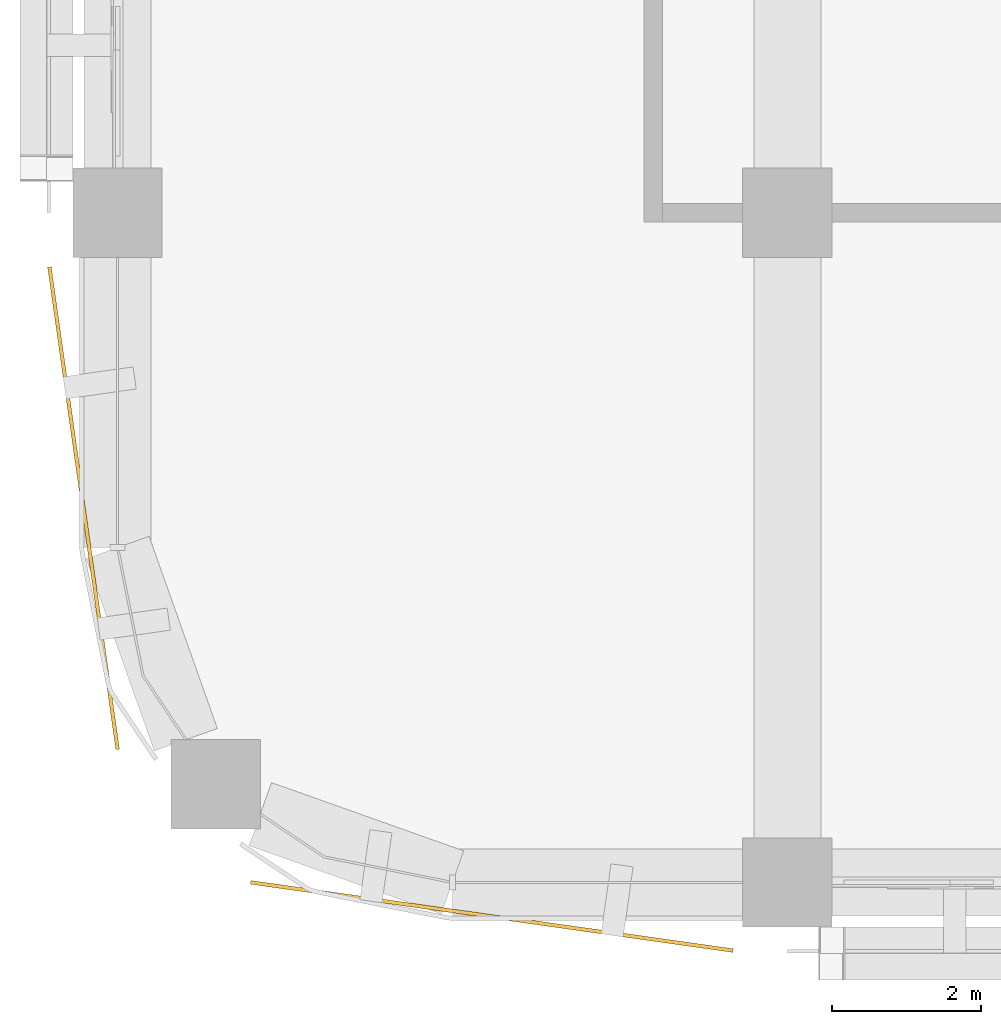
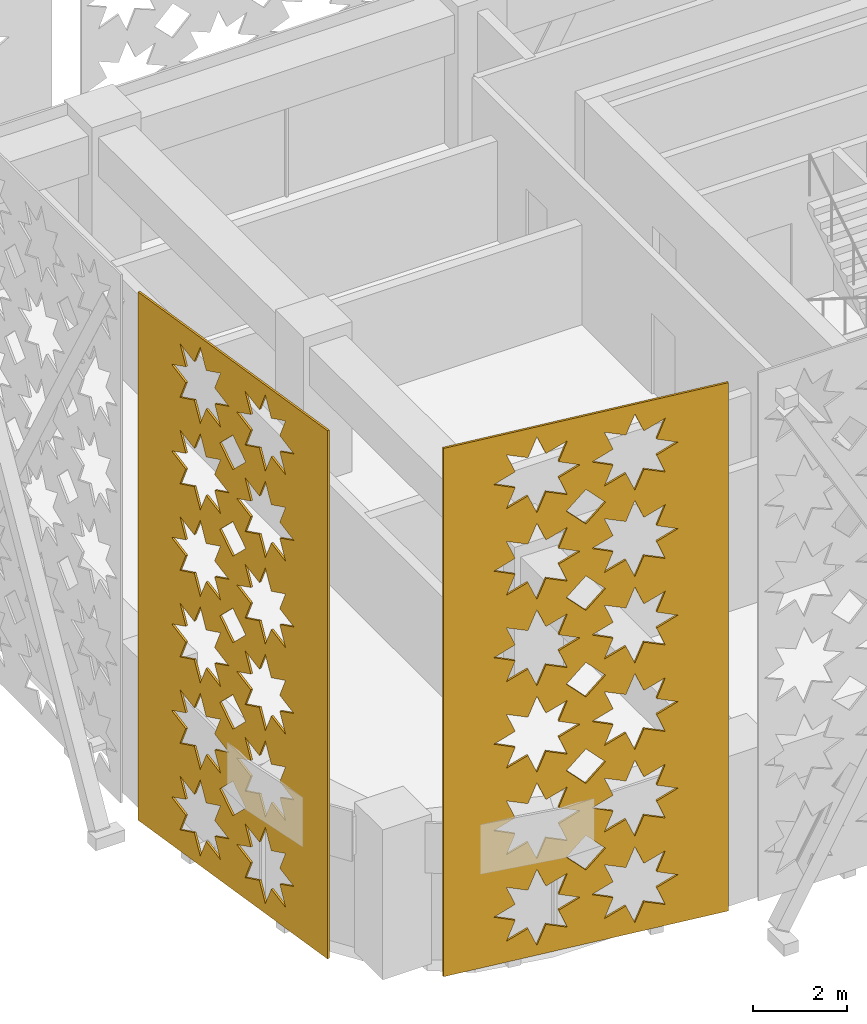
# One storey, part 10 of 17: 2 coverings.
"""IFC4 building model written with IfcOpenShell, lengths in metres."""

from ifc_helpers import new_model, si_unit, direction, frame, origin, place, context, subcontext, project, spatial, polyline, outline, extrude, material, layer, layer_set, type_object, element, save


model = new_model("IFC4")

# Units and contexts
model_context = context("Model", 3, precision=1e-05, world=origin(), true_north=direction((0.0, 1.0)))
body_context = subcontext(model_context, "Body", "Model", "MODEL_VIEW")
ifc_project = project(units=[si_unit("LENGTHUNIT", "METRE"), si_unit("AREAUNIT", "SQUARE_METRE"), si_unit("VOLUMEUNIT", "CUBIC_METRE"), si_unit("PLANEANGLEUNIT", "RADIAN"), si_unit("MASSUNIT", "GRAM", prefix="KILO")], contexts=[model_context])

# Site, building, storey
site_placement = place(None, origin())
site = spatial("IfcSite", under=ifc_project, at=site_placement, CompositionType="ELEMENT")
building_placement = place(site_placement, origin())
building = spatial("IfcBuilding", under=site, at=building_placement, Name="Tessera Arch", CompositionType="ELEMENT")
storey_placement = place(building_placement, frame((0.0, 0.0, 281.300048828125)))
storey = spatial("IfcBuildingStorey", under=building, at=storey_placement, Name="L68", CompositionType="ELEMENT", Elevation=281.300048828125)

# Coverings
ifc_material = material(Name="Anodised aluminium pale metal", Category="aluminium")
ifc_layer = layer(ifc_material, 0.050048828125)
ifc_layer_set = layer_set([ifc_layer], Name="Pierced screen panel corner bay")
covering_type = type_object("IfcCoveringType", Name="Pierced screen panel corner bay", PredefinedType="CLADDING", material=ifc_layer_set)
covering_1_placement = place(storey_placement, frame((17.10888671875, 35.27392578125, 13.89990234375), z_axis=(0.990141011378, 0.140074186016, 0.0), x_axis=(0.140074186016, -0.990141011378, 0.0)))
element("IfcCovering", 1, at=covering_1_placement, inside=storey, type_object=covering_type, Name="SCREEN pierced panel W18.27/2 L68-L70", PredefinedType="CLADDING", context=body_context, shape_type="SweptSolid", body=[
    extrude(outline(polyline([(0.0, 0.0), (6.546475218445481, 0.0), (6.546475218445481, 13.739990234375), (0.0, 13.739990234375), (0.0, 0.0)]), holes=[polyline([(3.1378926073747033, 12.494873046875), (2.646957140062835, 12.287841796875), (2.8479028079497066, 11.794921875), (2.354999273675671, 11.995849609375), (2.147907671256942, 11.5048828125), (1.941990539265672, 11.995849609375), (1.4481200704102128, 11.794921875), (1.6490657382970841, 12.287841796875), (1.158130270985216, 12.494873046875), (1.6490657382970841, 12.701904296875), (1.4481200704102128, 13.195068359375), (1.941990539265672, 12.993896484375), (2.147907671256942, 13.48486328125), (2.354999273675671, 12.993896484375), (2.8479028079497066, 13.195068359375), (2.646957140062835, 12.701904296875), (3.1378926073747033, 12.494873046875)]), polyline([(3.1378926073747033, 10.244873046875), (2.646957140062835, 10.037841796875), (2.8479028079497066, 9.544921875), (2.354999273675671, 9.745849609375), (2.147907671256942, 9.2548828125), (1.941990539265672, 9.745849609375), (1.4481200704102128, 9.544921875), (1.6490657382970841, 10.037841796875), (1.158130270985216, 10.244873046875), (1.6490657382970841, 10.451904296875), (1.4481200704102128, 10.945068359375), (1.941990539265672, 10.743896484375), (2.147907671256942, 11.23486328125), (2.354999273675671, 10.743896484375), (2.8479028079497066, 10.945068359375), (2.646957140062835, 10.451904296875), (3.1378926073747033, 10.244873046875)]), polyline([(3.1378926073747033, 7.994873046875), (2.646957140062835, 7.787841796875), (2.8479028079497066, 7.294921875), (2.354999273675671, 7.495849609375), (2.147907671256942, 7.0048828125), (1.941990539265672, 7.495849609375), (1.4481200704102128, 7.294921875), (1.6490657382970841, 7.787841796875), (1.158130270985216, 7.994873046875), (1.6490657382970841, 8.201904296875), (1.4481200704102128, 8.695068359375), (1.941990539265672, 8.493896484375), (2.147907671256942, 8.98486328125), (2.354999273675671, 8.493896484375), (2.8479028079497066, 8.695068359375), (2.646957140062835, 8.201904296875), (3.1378926073747033, 7.994873046875)]), polyline([(3.1378926073747033, 5.744873046875), (2.646957140062835, 5.537841796875), (2.8479028079497066, 5.044921875), (2.354999273675671, 5.245849609375), (2.147907671256942, 4.7548828125), (1.941990539265672, 5.245849609375), (1.4481200704102128, 5.044921875), (1.6490657382970841, 5.537841796875), (1.158130270985216, 5.744873046875), (1.6490657382970841, 5.951904296875), (1.4481200704102128, 6.445068359375), (1.941990539265672, 6.243896484375), (2.147907671256942, 6.73486328125), (2.354999273675671, 6.243896484375), (2.8479028079497066, 6.445068359375), (2.646957140062835, 5.951904296875), (3.1378926073747033, 5.744873046875)]), polyline([(3.1378926073747033, 3.494873046875), (2.646957140062835, 3.287841796875), (2.8479028079497066, 2.794921875), (2.354999273675671, 2.995849609375), (2.147907671256942, 2.5048828125), (1.941990539265672, 2.995849609375), (1.4481200704102128, 2.794921875), (1.6490657382970841, 3.287841796875), (1.158130270985216, 3.494873046875), (1.6490657382970841, 3.701904296875), (1.4481200704102128, 4.195068359375), (1.941990539265672, 3.993896484375), (2.147907671256942, 4.48486328125), (2.354999273675671, 3.993896484375), (2.8479028079497066, 4.195068359375), (2.646957140062835, 3.701904296875), (3.1378926073747033, 3.494873046875)]), polyline([(3.1378926073747033, 1.244873046875), (2.646957140062835, 1.037841796875), (2.8479028079497066, 0.544921875), (2.354999273675671, 0.745849609375), (2.147907671256942, 0.2548828125), (1.941990539265672, 0.745849609375), (1.4481200704102128, 0.544921875), (1.6490657382970841, 1.037841796875), (1.158130270985216, 1.244873046875), (1.6490657382970841, 1.451904296875), (1.4481200704102128, 1.945068359375), (1.941990539265672, 1.743896484375), (2.147907671256942, 2.23486328125), (2.354999273675671, 1.743896484375), (2.8479028079497066, 1.945068359375), (2.646957140062835, 1.451904296875), (3.1378926073747033, 1.244873046875)]), polyline([(5.387861480169554, 12.494873046875), (4.896926012857686, 12.287841796875), (5.097871680744557, 11.794921875), (4.604968146470521, 11.995849609375), (4.398118277697149, 11.5048828125), (4.191959412060523, 11.995849609375), (3.698088943205064, 11.794921875), (3.899034611091935, 12.287841796875), (3.408099143780067, 12.494873046875), (3.899034611091935, 12.701904296875), (3.698088943205064, 13.195068359375), (4.191959412060523, 12.993896484375), (4.398118277697149, 13.48486328125), (4.604968146470521, 12.993896484375), (5.097871680744557, 13.195068359375), (4.896926012857686, 12.701904296875), (5.387861480169554, 12.494873046875)]), polyline([(5.387861480169554, 10.244873046875), (4.896926012857686, 10.037841796875), (5.097871680744557, 9.544921875), (4.604968146470521, 9.745849609375), (4.398118277697149, 9.2548828125), (4.191959412060523, 9.745849609375), (3.698088943205064, 9.544921875), (3.899034611091935, 10.037841796875), (3.408099143780067, 10.244873046875), (3.899034611091935, 10.451904296875), (3.698088943205064, 10.945068359375), (4.191959412060523, 10.743896484375), (4.398118277697149, 11.23486328125), (4.604968146470521, 10.743896484375), (5.097871680744557, 10.945068359375), (4.896926012857686, 10.451904296875), (5.387861480169554, 10.244873046875)]), polyline([(5.387861480169554, 7.994873046875), (4.896926012857686, 7.787841796875), (5.097871680744557, 7.294921875), (4.604968146470521, 7.495849609375), (4.398118277697149, 7.0048828125), (4.191959412060523, 7.495849609375), (3.698088943205064, 7.294921875), (3.899034611091935, 7.787841796875), (3.408099143780067, 7.994873046875), (3.899034611091935, 8.201904296875), (3.698088943205064, 8.695068359375), (4.191959412060523, 8.493896484375), (4.398118277697149, 8.98486328125), (4.604968146470521, 8.493896484375), (5.097871680744557, 8.695068359375), (4.896926012857686, 8.201904296875), (5.387861480169554, 7.994873046875)]), polyline([(5.387861480169554, 5.744873046875), (4.896926012857686, 5.537841796875), (5.097871680744557, 5.044921875), (4.604968146470521, 5.245849609375), (4.398118277697149, 4.7548828125), (4.191959412060523, 5.245849609375), (3.698088943205064, 5.044921875), (3.899034611091935, 5.537841796875), (3.408099143780067, 5.744873046875), (3.899034611091935, 5.951904296875), (3.698088943205064, 6.445068359375), (4.191959412060523, 6.243896484375), (4.398118277697149, 6.73486328125), (4.604968146470521, 6.243896484375), (5.097871680744557, 6.445068359375), (4.896926012857686, 5.951904296875), (5.387861480169554, 5.744873046875)]), polyline([(5.387861480169554, 3.494873046875), (4.896926012857686, 3.287841796875), (5.097871680744557, 2.794921875), (4.604968146470521, 2.995849609375), (4.398118277697149, 2.5048828125), (4.191959412060523, 2.995849609375), (3.698088943205064, 2.794921875), (3.899034611091935, 3.287841796875), (3.408099143780067, 3.494873046875), (3.899034611091935, 3.701904296875), (3.698088943205064, 4.195068359375), (4.191959412060523, 3.993896484375), (4.398118277697149, 4.48486328125), (4.604968146470521, 3.993896484375), (5.097871680744557, 4.195068359375), (4.896926012857686, 3.701904296875), (5.387861480169554, 3.494873046875)]), polyline([(5.387861480169554, 1.244873046875), (4.896926012857686, 1.037841796875), (5.097871680744557, 0.544921875), (4.604968146470521, 0.745849609375), (4.398118277697149, 0.2548828125), (4.191959412060523, 0.745849609375), (3.698088943205064, 0.544921875), (3.899034611091935, 1.037841796875), (3.408099143780067, 1.244873046875), (3.899034611091935, 1.451904296875), (3.698088943205064, 1.945068359375), (4.191959412060523, 1.743896484375), (4.398118277697149, 2.23486328125), (4.604968146470521, 1.743896484375), (5.097871680744557, 1.945068359375), (4.896926012857686, 1.451904296875), (5.387861480169554, 1.244873046875)]), polyline([(3.7229828105764913, 11.369873046875), (3.272995875577385, 10.919921875), (2.823008940578279, 11.369873046875), (3.272995875577385, 11.820068359375), (3.7229828105764913, 11.369873046875)]), polyline([(3.7229828105764913, 9.119873046875), (3.272995875577385, 8.669921875), (2.823008940578279, 9.119873046875), (3.272995875577385, 9.570068359375), (3.7229828105764913, 9.119873046875)]), polyline([(3.7229828105764913, 6.869873046875), (3.272995875577385, 6.419921875), (2.823008940578279, 6.869873046875), (3.272995875577385, 7.320068359375), (3.7229828105764913, 6.869873046875)]), polyline([(3.7229828105764913, 4.619873046875), (3.272995875577385, 4.169921875), (2.823008940578279, 4.619873046875), (3.272995875577385, 5.070068359375), (3.7229828105764913, 4.619873046875)]), polyline([(3.7229828105764913, 2.369873046875), (3.272995875577385, 1.919921875), (2.823008940578279, 2.369873046875), (3.272995875577385, 2.820068359375), (3.7229828105764913, 2.369873046875)])]), origin(), (0.0, 0.0, -1.0), 0.050048828125),
])
covering_2_placement = place(storey_placement, frame((19.7919921875, 27.02587890625, 13.89990234375), z_axis=(0.140074186016, 0.990141011378, 0.0), x_axis=(0.990141011378, -0.140074186016, 0.0)))
element("IfcCovering", 2, at=covering_2_placement, inside=storey, type_object=covering_type, Name="SCREEN pierced panel S27.18/0 L68-L70", PredefinedType="CLADDING", context=body_context, shape_type="SweptSolid", body=[
    extrude(outline(polyline([(0.0, 0.0), (6.546475218445481, 0.0), (6.546475218445481, 13.739990234375), (0.0, 13.739990234375), (0.0, 0.0)]), holes=[polyline([(3.137858409575383, 12.494873046875), (2.6469229422635148, 12.287841796875), (2.8479028079497066, 11.794921875), (2.354999273675671, 11.995849609375), (2.1478734734576217, 11.5048828125), (1.941990539265672, 11.995849609375), (1.447878336764857, 11.794921875), (1.6490657382970841, 12.287841796875), (1.15788853733986, 12.494873046875), (1.6490657382970841, 12.701904296875), (1.447878336764857, 13.195068359375), (1.941990539265672, 12.993896484375), (2.1478734734576217, 13.48486328125), (2.354999273675671, 12.993896484375), (2.8479028079497066, 13.195068359375), (2.6469229422635148, 12.701904296875), (3.137858409575383, 12.494873046875)]), polyline([(3.137858409575383, 10.244873046875), (2.6469229422635148, 10.037841796875), (2.8479028079497066, 9.544921875), (2.354999273675671, 9.745849609375), (2.1478734734576217, 9.2548828125), (1.941990539265672, 9.745849609375), (1.447878336764857, 9.544921875), (1.6490657382970841, 10.037841796875), (1.15788853733986, 10.244873046875), (1.6490657382970841, 10.451904296875), (1.447878336764857, 10.945068359375), (1.941990539265672, 10.743896484375), (2.1478734734576217, 11.23486328125), (2.354999273675671, 10.743896484375), (2.8479028079497066, 10.945068359375), (2.6469229422635148, 10.451904296875), (3.137858409575383, 10.244873046875)]), polyline([(3.137858409575383, 7.994873046875), (2.6469229422635148, 7.787841796875), (2.8479028079497066, 7.294921875), (2.354999273675671, 7.495849609375), (2.1478734734576217, 7.0048828125), (1.941990539265672, 7.495849609375), (1.447878336764857, 7.294921875), (1.6490657382970841, 7.787841796875), (1.15788853733986, 7.994873046875), (1.6490657382970841, 8.201904296875), (1.447878336764857, 8.695068359375), (1.941990539265672, 8.493896484375), (2.1478734734576217, 8.98486328125), (2.354999273675671, 8.493896484375), (2.8479028079497066, 8.695068359375), (2.6469229422635148, 8.201904296875), (3.137858409575383, 7.994873046875)]), polyline([(3.137858409575383, 5.744873046875), (2.6469229422635148, 5.537841796875), (2.8479028079497066, 5.044921875), (2.354999273675671, 5.245849609375), (2.1478734734576217, 4.7548828125), (1.941990539265672, 5.245849609375), (1.447878336764857, 5.044921875), (1.6490657382970841, 5.537841796875), (1.15788853733986, 5.744873046875), (1.6490657382970841, 5.951904296875), (1.447878336764857, 6.445068359375), (1.941990539265672, 6.243896484375), (2.1478734734576217, 6.73486328125), (2.354999273675671, 6.243896484375), (2.8479028079497066, 6.445068359375), (2.6469229422635148, 5.951904296875), (3.137858409575383, 5.744873046875)]), polyline([(3.137858409575383, 3.494873046875), (2.6469229422635148, 3.287841796875), (2.8479028079497066, 2.794921875), (2.354999273675671, 2.995849609375), (2.1478734734576217, 2.5048828125), (1.941990539265672, 2.995849609375), (1.447878336764857, 2.794921875), (1.6490657382970841, 3.287841796875), (1.15788853733986, 3.494873046875), (1.6490657382970841, 3.701904296875), (1.447878336764857, 4.195068359375), (1.941990539265672, 3.993896484375), (2.1478734734576217, 4.48486328125), (2.354999273675671, 3.993896484375), (2.8479028079497066, 4.195068359375), (2.6469229422635148, 3.701904296875), (3.137858409575383, 3.494873046875)]), polyline([(3.137858409575383, 1.244873046875), (2.6469229422635148, 1.037841796875), (2.8479028079497066, 0.544921875), (2.354999273675671, 0.745849609375), (2.1478734734576217, 0.2548828125), (1.941990539265672, 0.745849609375), (1.447878336764857, 0.544921875), (1.6490657382970841, 1.037841796875), (1.15788853733986, 1.244873046875), (1.6490657382970841, 1.451904296875), (1.447878336764857, 1.945068359375), (1.941990539265672, 1.743896484375), (2.1478734734576217, 2.23486328125), (2.354999273675671, 1.743896484375), (2.8479028079497066, 1.945068359375), (2.6469229422635148, 1.451904296875), (3.137858409575383, 1.244873046875)]), polyline([(5.387827282370234, 12.494873046875), (4.896891815058366, 12.287841796875), (5.097871680744557, 11.794921875), (4.604968146470521, 11.995849609375), (4.397842346252473, 11.5048828125), (4.191959412060523, 11.995849609375), (3.698088943205064, 11.794921875), (3.899034611091935, 12.287841796875), (3.407857410134711, 12.494873046875), (3.899034611091935, 12.701904296875), (3.698088943205064, 13.195068359375), (4.191959412060523, 12.993896484375), (4.397842346252473, 13.48486328125), (4.604968146470521, 12.993896484375), (5.097871680744557, 13.195068359375), (4.896891815058366, 12.701904296875), (5.387827282370234, 12.494873046875)]), polyline([(5.387827282370234, 10.244873046875), (4.896891815058366, 10.037841796875), (5.097871680744557, 9.544921875), (4.604968146470521, 9.745849609375), (4.397842346252473, 9.2548828125), (4.191959412060523, 9.745849609375), (3.698088943205064, 9.544921875), (3.899034611091935, 10.037841796875), (3.407857410134711, 10.244873046875), (3.899034611091935, 10.451904296875), (3.698088943205064, 10.945068359375), (4.191959412060523, 10.743896484375), (4.397842346252473, 11.23486328125), (4.604968146470521, 10.743896484375), (5.097871680744557, 10.945068359375), (4.896891815058366, 10.451904296875), (5.387827282370234, 10.244873046875)]), polyline([(5.387827282370234, 7.994873046875), (4.896891815058366, 7.787841796875), (5.097871680744557, 7.294921875), (4.604968146470521, 7.495849609375), (4.397842346252473, 7.0048828125), (4.191959412060523, 7.495849609375), (3.698088943205064, 7.294921875), (3.899034611091935, 7.787841796875), (3.407857410134711, 7.994873046875), (3.899034611091935, 8.201904296875), (3.698088943205064, 8.695068359375), (4.191959412060523, 8.493896484375), (4.397842346252473, 8.98486328125), (4.604968146470521, 8.493896484375), (5.097871680744557, 8.695068359375), (4.896891815058366, 8.201904296875), (5.387827282370234, 7.994873046875)]), polyline([(5.387827282370234, 5.744873046875), (4.896891815058366, 5.537841796875), (5.097871680744557, 5.044921875), (4.604968146470521, 5.245849609375), (4.397842346252473, 4.7548828125), (4.191959412060523, 5.245849609375), (3.698088943205064, 5.044921875), (3.899034611091935, 5.537841796875), (3.407857410134711, 5.744873046875), (3.899034611091935, 5.951904296875), (3.698088943205064, 6.445068359375), (4.191959412060523, 6.243896484375), (4.397842346252473, 6.73486328125), (4.604968146470521, 6.243896484375), (5.097871680744557, 6.445068359375), (4.896891815058366, 5.951904296875), (5.387827282370234, 5.744873046875)]), polyline([(5.387827282370234, 3.494873046875), (4.896891815058366, 3.287841796875), (5.097871680744557, 2.794921875), (4.604968146470521, 2.995849609375), (4.397842346252473, 2.5048828125), (4.191959412060523, 2.995849609375), (3.698088943205064, 2.794921875), (3.899034611091935, 3.287841796875), (3.407857410134711, 3.494873046875), (3.899034611091935, 3.701904296875), (3.698088943205064, 4.195068359375), (4.191959412060523, 3.993896484375), (4.397842346252473, 4.48486328125), (4.604968146470521, 3.993896484375), (5.097871680744557, 4.195068359375), (4.896891815058366, 3.701904296875), (5.387827282370234, 3.494873046875)]), polyline([(5.387827282370234, 1.244873046875), (4.896891815058366, 1.037841796875), (5.097871680744557, 0.544921875), (4.604968146470521, 0.745849609375), (4.397842346252473, 0.2548828125), (4.191959412060523, 0.745849609375), (3.698088943205064, 0.544921875), (3.899034611091935, 1.037841796875), (3.407857410134711, 1.244873046875), (3.899034611091935, 1.451904296875), (3.698088943205064, 1.945068359375), (4.191959412060523, 1.743896484375), (4.397842346252473, 2.23486328125), (4.604968146470521, 1.743896484375), (5.097871680744557, 1.945068359375), (4.896891815058366, 1.451904296875), (5.387827282370234, 1.244873046875)]), polyline([(3.7229828105764913, 11.369873046875), (3.272995875577385, 10.919921875), (2.8229747427789587, 11.369873046875), (3.272995875577385, 11.820068359375), (3.7229828105764913, 11.369873046875)]), polyline([(3.7229828105764913, 9.119873046875), (3.272995875577385, 8.669921875), (2.8229747427789587, 9.119873046875), (3.272995875577385, 9.570068359375), (3.7229828105764913, 9.119873046875)]), polyline([(3.7229828105764913, 6.869873046875), (3.272995875577385, 6.419921875), (2.8229747427789587, 6.869873046875), (3.272995875577385, 7.320068359375), (3.7229828105764913, 6.869873046875)]), polyline([(3.7229828105764913, 4.619873046875), (3.272995875577385, 4.169921875), (2.8229747427789587, 4.619873046875), (3.272995875577385, 5.070068359375), (3.7229828105764913, 4.619873046875)]), polyline([(3.7229828105764913, 2.369873046875), (3.272995875577385, 1.919921875), (2.8229747427789587, 2.369873046875), (3.272995875577385, 2.820068359375), (3.7229828105764913, 2.369873046875)])]), origin(), (0.0, 0.0, -1.0), 0.050048828125),
])

save(model, "model.ifc")
